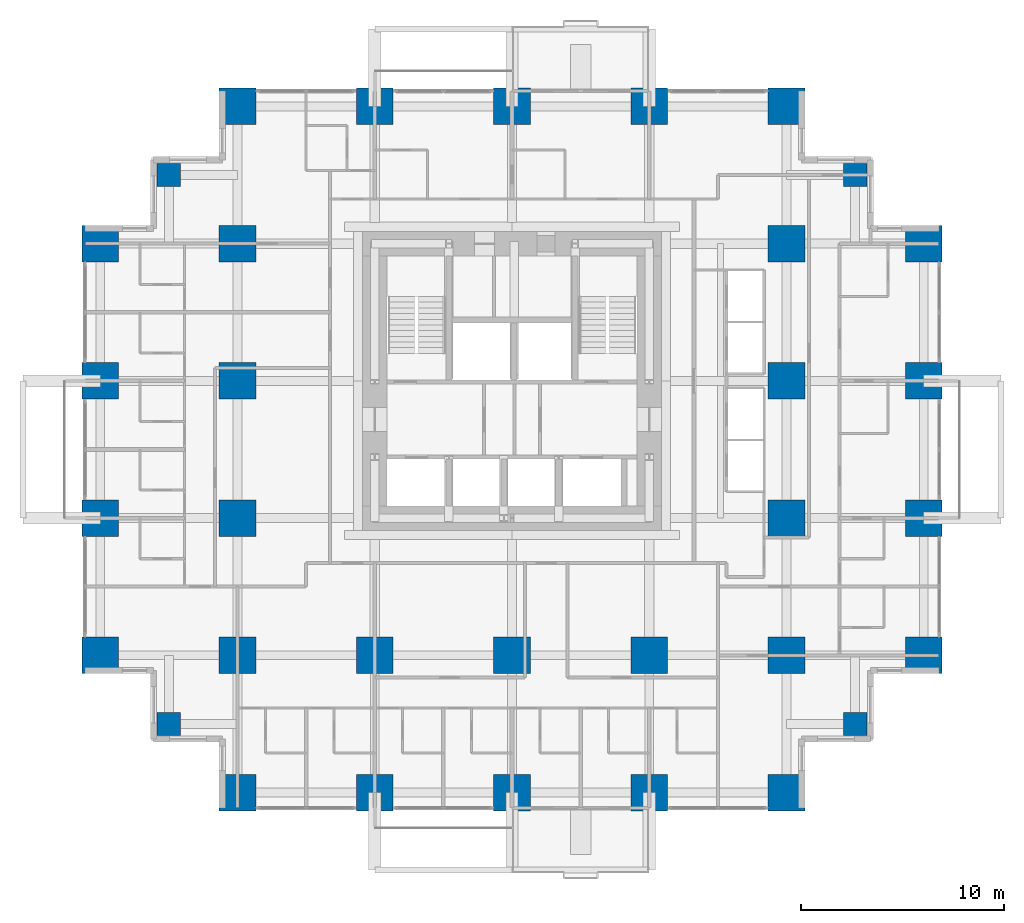
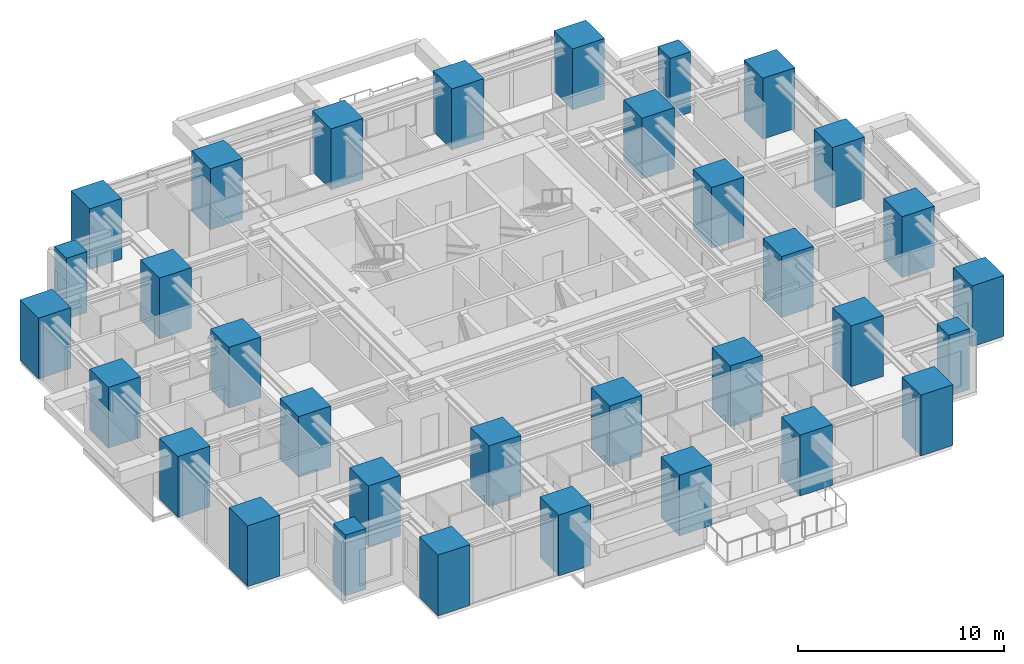
# One storey, part 1 of 13: 33 columns.
"""IFC4 building model written with IfcOpenShell, lengths in metres."""

from ifc_helpers import new_model, si_unit, direction, frame, origin, origin_2d, place, context, subcontext, project, spatial, rectangle, extrude, material, material_profile, profile_set, type_object, element, save


model = new_model("IFC4")

# Units and contexts
model_context = context("Model", 3, precision=1e-05, world=origin(), true_north=direction((0.0, 1.0)))
body_context = subcontext(model_context, "Body", "Model", "MODEL_VIEW")
ifc_project = project(units=[si_unit("LENGTHUNIT", "METRE"), si_unit("AREAUNIT", "SQUARE_METRE"), si_unit("VOLUMEUNIT", "CUBIC_METRE"), si_unit("PLANEANGLEUNIT", "RADIAN"), si_unit("MASSUNIT", "GRAM", prefix="KILO")], contexts=[model_context])

# Site, building, storey
site_placement = place(None, origin())
site = spatial("IfcSite", under=ifc_project, at=site_placement, CompositionType="ELEMENT")
building_placement = place(site_placement, origin())
building = spatial("IfcBuilding", under=site, at=building_placement, Name="Nyansa Garden Tower", CompositionType="ELEMENT")
storey_placement = place(building_placement, frame((0.0, 0.0, 105.300048828125)))
storey = spatial("IfcBuildingStorey", under=building, at=storey_placement, Name="L28", CompositionType="ELEMENT", Elevation=105.300048828125)

# Columns
ifc_material_1 = material(Name="Concrete C70/85", Category="concrete")
ifc_material_profile_1 = material_profile(ifc_material_1, rectangle(XDim=1.14990234375, YDim=1.14990234375, at=origin_2d()), Name="RC 1150x1150")
ifc_profile_set_1 = profile_set([ifc_material_profile_1], Name="Concrete C70/85")
column_type_1 = type_object("IfcColumnType", Name="Column C115 RC 1150x1150", PredefinedType="COLUMN", material=ifc_profile_set_1)
for number, where, z_axis, x_axis, name in (
    (1, (3.375, 3.375, 0.0), (0.0, 0.0, 1.0), (1.0, 0.0, 0.0), "Column x3.375/y3.375 L28"),
    (2, (3.375, 30.375, 0.0), (0.0, 0.0, 1.0), (1.0, 0.0, 0.0), "Column x3.375/y30.375 L28"),
    (3, (37.125, 3.375, 0.0), (0.0, 0.0, 1.0), (1.0, 0.0, 0.0), "Column x37.125/y3.375 L28"),
    (4, (37.125, 30.375, 0.0), (0.0, 0.0, 1.0), (1.0, 0.0, 0.0), "Column x37.125/y30.375 L28"),
):
    element("IfcColumn", number, at=place(storey_placement, frame(where, z_axis=z_axis, x_axis=x_axis)), inside=storey, type_object=column_type_1, Name=name, PredefinedType="COLUMN", context=body_context, shape_type="SweptSolid", body=[
        extrude(rectangle(XDim=1.14990234375, YDim=1.14990234375, at=origin_2d()), origin(), (0.0, 0.0, 1.0), 3.599853515625),
    ])
ifc_material_2 = material(Name="Concrete C80/95", Category="concrete")
ifc_material_profile_2 = material_profile(ifc_material_2, rectangle(XDim=1.800048828125, YDim=1.800048828125, at=origin_2d()), Name="RC 1800x1800")
ifc_profile_set_2 = profile_set([ifc_material_profile_2], Name="Concrete C80/95")
column_type_2 = type_object("IfcColumnType", Name="Column C180 RC 1800x1800", PredefinedType="COLUMN", material=ifc_profile_set_2)
for number, where, z_axis, x_axis, name in (
    (5, (0.0, 6.75, 0.0), (0.0, 0.0, 1.0), (1.0, 0.0, 0.0), "Column 2/E L28"),
    (6, (0.0, 13.5, 0.0), (0.0, 0.0, 1.0), (1.0, 0.0, 0.0), "Column 2/F L28"),
    (7, (0.0, 20.25, 0.0), (0.0, 0.0, 1.0), (1.0, 0.0, 0.0), "Column 2/G L28"),
    (8, (0.0, 27.0, 0.0), (0.0, 0.0, 1.0), (1.0, 0.0, 0.0), "Column 2/H L28"),
    (9, (6.75, 0.0, 0.0), (0.0, 0.0, 1.0), (1.0, 0.0, 0.0), "Column 3/D L28"),
    (10, (6.75, 6.75, 0.0), (0.0, 0.0, 1.0), (1.0, 0.0, 0.0), "Column 3/E L28"),
    (11, (6.75, 13.5, 0.0), (0.0, 0.0, 1.0), (1.0, 0.0, 0.0), "Column 3/F L28"),
    (12, (6.75, 20.25, 0.0), (0.0, 0.0, 1.0), (1.0, 0.0, 0.0), "Column 3/G L28"),
    (13, (6.75, 27.0, 0.0), (0.0, 0.0, 1.0), (1.0, 0.0, 0.0), "Column 3/H L28"),
    (14, (6.75, 33.75, 0.0), (0.0, 0.0, 1.0), (1.0, 0.0, 0.0), "Column 3/J L28"),
    (15, (13.5, 0.0, 0.0), (0.0, 0.0, 1.0), (1.0, 0.0, 0.0), "Column 4/D L28"),
    (16, (13.5, 6.75, 0.0), (0.0, 0.0, 1.0), (1.0, 0.0, 0.0), "Column 4/E L28"),
    (17, (13.5, 33.75, 0.0), (0.0, 0.0, 1.0), (1.0, 0.0, 0.0), "Column 4/J L28"),
    (18, (20.25, 0.0, 0.0), (0.0, 0.0, 1.0), (1.0, 0.0, 0.0), "Column 5/D L28"),
    (19, (20.25, 6.75, 0.0), (0.0, 0.0, 1.0), (1.0, 0.0, 0.0), "Column 5/E L28"),
    (20, (20.25, 33.75, 0.0), (0.0, 0.0, 1.0), (1.0, 0.0, 0.0), "Column 5/J L28"),
    (21, (27.0, 0.0, 0.0), (0.0, 0.0, 1.0), (1.0, 0.0, 0.0), "Column 6/D L28"),
    (22, (27.0, 6.75, 0.0), (0.0, 0.0, 1.0), (1.0, 0.0, 0.0), "Column 6/E L28"),
    (23, (27.0, 33.75, 0.0), (0.0, 0.0, 1.0), (1.0, 0.0, 0.0), "Column 6/J L28"),
    (24, (33.75, 0.0, 0.0), (0.0, 0.0, 1.0), (1.0, 0.0, 0.0), "Column 7/D L28"),
    (25, (33.75, 6.75, 0.0), (0.0, 0.0, 1.0), (1.0, 0.0, 0.0), "Column 7/E L28"),
    (26, (33.75, 13.5, 0.0), (0.0, 0.0, 1.0), (1.0, 0.0, 0.0), "Column 7/F L28"),
    (27, (33.75, 20.25, 0.0), (0.0, 0.0, 1.0), (1.0, 0.0, 0.0), "Column 7/G L28"),
    (28, (33.75, 27.0, 0.0), (0.0, 0.0, 1.0), (1.0, 0.0, 0.0), "Column 7/H L28"),
    (29, (33.75, 33.75, 0.0), (0.0, 0.0, 1.0), (1.0, 0.0, 0.0), "Column 7/J L28"),
    (30, (40.5, 6.75, 0.0), (0.0, 0.0, 1.0), (1.0, 0.0, 0.0), "Column 8/E L28"),
    (31, (40.5, 13.5, 0.0), (0.0, 0.0, 1.0), (1.0, 0.0, 0.0), "Column 8/F L28"),
    (32, (40.5, 20.25, 0.0), (0.0, 0.0, 1.0), (1.0, 0.0, 0.0), "Column 8/G L28"),
    (33, (40.5, 27.0, 0.0), (0.0, 0.0, 1.0), (1.0, 0.0, 0.0), "Column 8/H L28"),
):
    element("IfcColumn", number, at=place(storey_placement, frame(where, z_axis=z_axis, x_axis=x_axis)), inside=storey, type_object=column_type_2, Name=name, PredefinedType="COLUMN", context=body_context, shape_type="SweptSolid", body=[
        extrude(rectangle(XDim=1.800048828125, YDim=1.800048828125, at=origin_2d()), origin(), (0.0, 0.0, 1.0), 3.599853515625),
    ])

save(model, "model.ifc")
